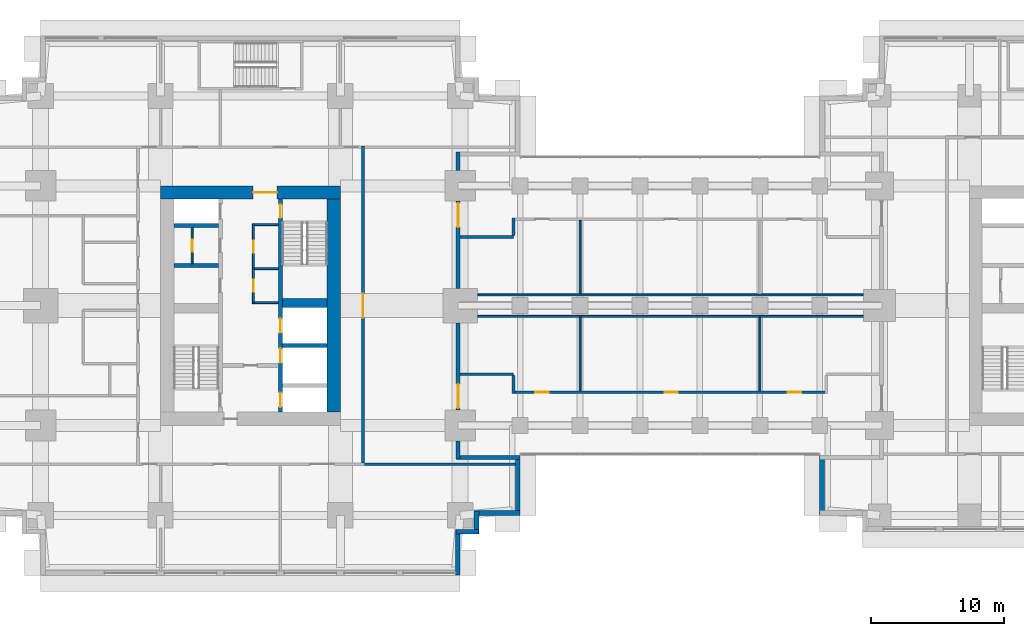
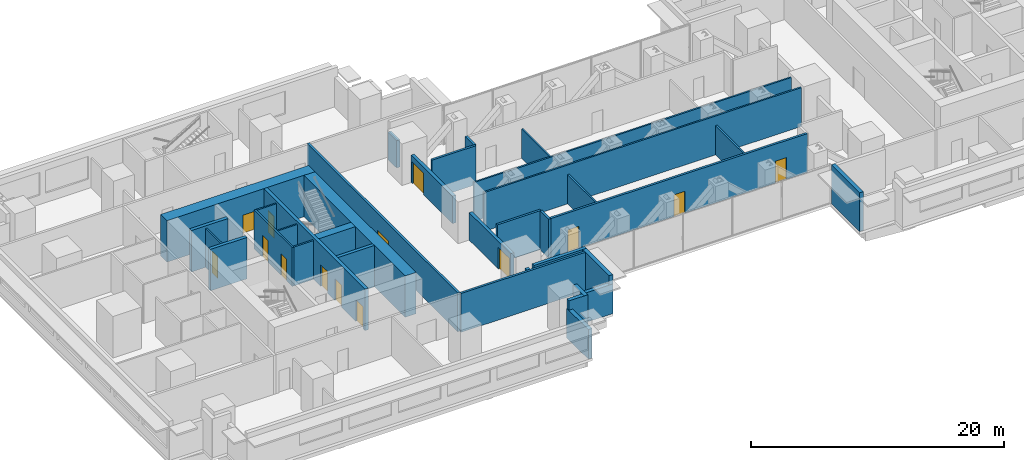
# One storey, part 8 of 16: 35 walls, 14 doors, 14 openings.
"""IFC4 building model written with IfcOpenShell, lengths in metres."""

from ifc_helpers import new_model, si_unit, direction, frame, frame_2d, origin, place, context, subcontext, project, spatial, rectangle, extrude, material, layer, layer_set, type_object, element, fill, save


model = new_model("IFC4")

# Units and contexts
model_context = context("Model", 3, precision=1e-05, world=origin(), true_north=direction((0.0, 1.0)))
body_context = subcontext(model_context, "Body", "Model", "MODEL_VIEW")
ifc_project = project(units=[si_unit("LENGTHUNIT", "METRE"), si_unit("AREAUNIT", "SQUARE_METRE"), si_unit("VOLUMEUNIT", "CUBIC_METRE"), si_unit("PLANEANGLEUNIT", "RADIAN"), si_unit("MASSUNIT", "GRAM", prefix="KILO")], contexts=[model_context])

# Site, building, storey
site_placement = place(None, origin())
site = spatial("IfcSite", under=ifc_project, at=site_placement, CompositionType="ELEMENT")
building_placement = place(site_placement, origin())
building = spatial("IfcBuilding", under=site, at=building_placement, Name="Namib Vertical Campus", CompositionType="ELEMENT")
storey_placement = place(building_placement, frame((0.0, 0.0, 113.0)))
storey = spatial("IfcBuildingStorey", under=building, at=storey_placement, Name="L26", CompositionType="ELEMENT", Elevation=113.0)

# Wall, openings, doors
ifc_material_1 = material(Name="Concrete C60/75", Category="concrete")
ifc_layer_1 = layer(ifc_material_1, 0.300048828125)
ifc_layer_set_1 = layer_set([ifc_layer_1], Name="Concrete C60/75")
wall_type_1 = type_object("IfcWallType", Name="Core inner wall 300", PredefinedType="SHEAR", material=ifc_layer_set_1)
wall_1_placement = place(storey_placement, frame((22.5, 12.25, 0.0), z_axis=(0.0, 0.0, 1.0), x_axis=(0.0, 1.0, 0.0)))
wall_1 = element("IfcWall", 1, at=wall_1_placement, inside=storey, type_object=wall_type_1, Name="Core inner wall A L26 W2", PredefinedType="SHEAR", context=body_context, shape_type="SweptSolid", body=[
    extrude(rectangle(XDim=16.0, YDim=0.300048828125, at=frame_2d((8.0, 0.0))), origin(), (0.0, 0.0, 1.0), 4.0),
])
opening_1_placement = place(wall_1_placement, frame((14.60009765625, 0.0, 0.0)))
opening_1 = element("IfcOpeningElement", 2, at=opening_1_placement, cuts=wall_1, Name="Opening FD1", PredefinedType="OPENING", context=body_context, shape_type="SweptSolid", body=[
    extrude(rectangle(XDim=1.0, YDim=2.10009765625, at=frame_2d((0.5, 1.050048828125))), frame((0.0, 0.159912109375, 0.0), z_axis=(0.0, -1.0, 0.0), x_axis=(1.0, 0.0, 0.0)), (0.0, 0.0, 1.0), 0.320068359375),
])
opening_2_placement = place(wall_1_placement, frame((0.375, 0.0, 0.0)))
opening_2 = element("IfcOpeningElement", 3, at=opening_2_placement, cuts=wall_1, Name="Opening LD1", PredefinedType="OPENING", context=body_context, shape_type="SweptSolid", body=[
    extrude(rectangle(XDim=1.10009765625, YDim=2.10009765625, at=frame_2d((0.550048828125, 1.050048828125))), frame((0.0, 0.159912109375, 0.0), z_axis=(0.0, -1.0, 0.0), x_axis=(1.0, 0.0, 0.0)), (0.0, 0.0, 1.0), 0.320068359375),
])
opening_3_placement = place(wall_1_placement, frame((3.699951171875, 0.0, 0.0)))
opening_3 = element("IfcOpeningElement", 4, at=opening_3_placement, cuts=wall_1, Name="Opening LD1", PredefinedType="OPENING", context=body_context, shape_type="SweptSolid", body=[
    extrude(rectangle(XDim=1.10009765625, YDim=2.10009765625, at=frame_2d((0.550048828125, 1.050048828125))), frame((0.0, 0.159912109375, 0.0), z_axis=(0.0, -1.0, 0.0), x_axis=(1.0, 0.0, 0.0)), (0.0, 0.0, 1.0), 0.320068359375),
])
opening_4_placement = place(wall_1_placement, frame((5.949951171875, 0.0, 0.0)))
opening_4 = element("IfcOpeningElement", 5, at=opening_4_placement, cuts=wall_1, Name="Opening LD1", PredefinedType="OPENING", context=body_context, shape_type="SweptSolid", body=[
    extrude(rectangle(XDim=1.10009765625, YDim=2.10009765625, at=frame_2d((0.550048828125, 1.050048828125))), frame((0.0, 0.159912109375, 0.0), z_axis=(0.0, -1.0, 0.0), x_axis=(1.0, 0.0, 0.0)), (0.0, 0.0, 1.0), 0.320068359375),
])
ifc_material_2 = material(Name="Steel fire door", Category="steel")
door_type_1 = type_object("IfcDoorType", Name="Fire door 1000x2100", OperationType="SINGLE_SWING_RIGHT", PredefinedType="DOOR", material=ifc_material_2)
door_1_placement = place(opening_1_placement, frame((1.0, 0.0, 0.0), z_axis=(0.0, 0.0, 1.0), x_axis=(-1.0, 0.0, 0.0)))
door_1 = element("IfcDoor", 6, at=door_1_placement, inside=storey, type_object=door_type_1, Name="Stair door FD1 A L26 S2", OperationType="SINGLE_SWING_LEFT", OverallHeight=2.10009765625, OverallWidth=1.0, PredefinedType="DOOR", context=body_context, shape_type="SweptSolid", body=[
    extrude(rectangle(XDim=1.0, YDim=2.10009765625, at=frame_2d((0.5, 1.050048828125))), frame((0.0, 0.02490234375, 0.0), z_axis=(0.0, -1.0, 0.0), x_axis=(1.0, 0.0, 0.0)), (0.0, 0.0, 1.0), 0.050048828125),
])
fill(opening_1, door_1)
ifc_material_3 = material(Name="Stainless steel lift door", Category="steel")
door_type_2 = type_object("IfcDoorType", Name="Lift landing door 1100x2100", OperationType="DOUBLE_DOOR_SLIDING", PredefinedType="DOOR", material=ifc_material_3)
door_2_placement = place(opening_2_placement, origin())
door_2 = element("IfcDoor", 7, at=door_2_placement, inside=storey, type_object=door_type_2, Name="Lift landing door LD1 A-FL1 L26", OperationType="DOUBLE_DOOR_SLIDING", OverallHeight=2.10009765625, OverallWidth=1.10009765625, PredefinedType="DOOR", context=body_context, shape_type="SweptSolid", body=[
    extrude(rectangle(XDim=1.10009765625, YDim=2.10009765625, at=frame_2d((0.550048828125, 1.050048828125))), frame((0.0, 0.02490234375, 0.0), z_axis=(0.0, -1.0, 0.0), x_axis=(1.0, 0.0, 0.0)), (0.0, 0.0, 1.0), 0.050048828125),
])
fill(opening_2, door_2)
door_3_placement = place(opening_3_placement, origin())
door_3 = element("IfcDoor", 8, at=door_3_placement, inside=storey, type_object=door_type_2, Name="Lift landing door LD1 A-P4 L26", OperationType="DOUBLE_DOOR_SLIDING", OverallHeight=2.10009765625, OverallWidth=1.10009765625, PredefinedType="DOOR", context=body_context, shape_type="SweptSolid", body=[
    extrude(rectangle(XDim=1.10009765625, YDim=2.10009765625, at=frame_2d((0.550048828125, 1.050048828125))), frame((0.0, 0.02490234375, 0.0), z_axis=(0.0, -1.0, 0.0), x_axis=(1.0, 0.0, 0.0)), (0.0, 0.0, 1.0), 0.050048828125),
])
fill(opening_3, door_3)
door_4_placement = place(opening_4_placement, origin())
door_4 = element("IfcDoor", 9, at=door_4_placement, inside=storey, type_object=door_type_2, Name="Lift landing door LD1 A-P5 L26", OperationType="DOUBLE_DOOR_SLIDING", OverallHeight=2.10009765625, OverallWidth=1.10009765625, PredefinedType="DOOR", context=body_context, shape_type="SweptSolid", body=[
    extrude(rectangle(XDim=1.10009765625, YDim=2.10009765625, at=frame_2d((0.550048828125, 1.050048828125))), frame((0.0, 0.02490234375, 0.0), z_axis=(0.0, -1.0, 0.0), x_axis=(1.0, 0.0, 0.0)), (0.0, 0.0, 1.0), 0.050048828125),
])
fill(opening_4, door_4)

# Walls
for number, where, z_axis, x_axis, name in (
    (10, (22.64990234375, 17.25, 0.0), (0.0, 0.0, 1.0), (1.0, 0.0, 0.0), "Core inner wall A L26 W6"),
    (11, (14.5, 23.25, 0.0), (0.0, 0.0, 1.0), (1.0, 0.0, 0.0), "Core inner wall A L26 W8"),
    (12, (14.5, 26.25, 0.0), (0.0, 0.0, 1.0), (1.0, 0.0, 0.0), "Core inner wall A L26 W9"),
):
    element("IfcWall", number, at=place(storey_placement, frame(where, z_axis=z_axis, x_axis=x_axis)), inside=storey, type_object=wall_type_1, Name=name, PredefinedType="SHEAR", context=body_context, shape_type="SweptSolid", body=[
        extrude(rectangle(XDim=3.35009765625, YDim=0.300048828125, at=frame_2d((1.675048828125, 0.0))), origin(), (0.0, 0.0, 1.0), 4.0),
    ])
ifc_material_4 = material(Name="Concrete C60/75", Category="concrete")
ifc_layer_2 = layer(ifc_material_4, 0.699951171875)
ifc_layer_set_2 = layer_set([ifc_layer_2], Name="Concrete C60/75")
wall_type_2 = type_object("IfcWallType", Name="Core shear wall 700", PredefinedType="SHEAR", material=ifc_layer_set_2)
wall_2_placement = place(storey_placement, frame((22.64990234375, 20.449951171875, 0.0), z_axis=(0.0, 0.0, 1.0), x_axis=(1.0, 0.0, 0.0)))
element("IfcWall", 13, at=wall_2_placement, inside=storey, type_object=wall_type_2, Name="Core shear wall A L26 W7", PredefinedType="SHEAR", context=body_context, shape_type="SweptSolid", body=[
    extrude(rectangle(XDim=3.35009765625, YDim=0.699951171875, at=frame_2d((1.675048828125, 0.0))), origin(), (0.0, 0.0, 1.0), 4.0),
])
ifc_material_5 = material(Name="Concrete C60/75", Category="concrete")
ifc_layer_3 = layer(ifc_material_5, 1.0)
ifc_layer_set_3 = layer_set([ifc_layer_3], Name="Concrete C60/75")
wall_type_3 = type_object("IfcWallType", Name="Core wall 1000", PredefinedType="SHEAR", material=ifc_layer_set_3)
wall_3_placement = place(storey_placement, frame((26.5, 12.25, 0.0), z_axis=(0.0, 0.0, 1.0), x_axis=(0.0, 1.0, 0.0)))
element("IfcWall", 14, at=wall_3_placement, inside=storey, type_object=wall_type_3, Name="Core wall A L26 2", PredefinedType="SHEAR", context=body_context, shape_type="SweptSolid", body=[
    extrude(rectangle(XDim=16.0, YDim=1.0, at=frame_2d((8.0, 0.0))), origin(), (0.0, 0.0, 1.0), 4.0),
])

# Wall, opening, door
wall_4_placement = place(storey_placement, frame((27.0, 28.75, 0.0), z_axis=(0.0, 0.0, 1.0), x_axis=(-1.0, 0.0, 0.0)))
wall_4 = element("IfcWall", 15, at=wall_4_placement, inside=storey, type_object=wall_type_3, Name="Core wall A L26 3", PredefinedType="SHEAR", context=body_context, shape_type="SweptSolid", body=[
    extrude(rectangle(XDim=13.5, YDim=1.0, at=frame_2d((6.75, 0.0))), origin(), (0.0, 0.0, 1.0), 4.0),
])
opening_5_placement = place(wall_4_placement, frame((4.75, 0.0, 0.0)))
opening_5 = element("IfcOpeningElement", 16, at=opening_5_placement, cuts=wall_4, Name="Opening FD2", PredefinedType="OPENING", context=body_context, shape_type="SweptSolid", body=[
    extrude(rectangle(XDim=1.800048828125, YDim=2.10009765625, at=frame_2d((0.89990234375, 1.050048828125))), frame((0.0, 0.510009765625, 0.0), z_axis=(0.0, -1.0, 0.0), x_axis=(1.0, 0.0, 0.0)), (0.0, 0.0, 1.0), 1.02001953125),
])
ifc_material_6 = material(Name="Steel fire door", Category="steel")
door_type_3 = type_object("IfcDoorType", Name="Fire door double 1800x2100", OperationType="DOUBLE_DOOR_SINGLE_SWING", PredefinedType="DOOR", material=ifc_material_6)
door_5_placement = place(opening_5_placement, origin())
door_5 = element("IfcDoor", 17, at=door_5_placement, inside=storey, type_object=door_type_3, Name="Lift lobby door FD2 A L26", OperationType="DOUBLE_DOOR_SINGLE_SWING", OverallHeight=2.10009765625, OverallWidth=1.800048828125, PredefinedType="DOOR", context=body_context, shape_type="SweptSolid", body=[
    extrude(rectangle(XDim=1.800048828125, YDim=2.10009765625, at=frame_2d((0.89990234375, 1.050048828125))), frame((0.0, 0.02490234375, 0.0), z_axis=(0.0, -1.0, 0.0), x_axis=(1.0, 0.0, 0.0)), (0.0, 0.0, 1.0), 0.050048828125),
])
fill(opening_5, door_5)

ifc_material_7 = material(Name="Concrete masonry", Category="masonry")
ifc_layer_4 = layer(ifc_material_7, 0.199951171875)
ifc_layer_set_4 = layer_set([ifc_layer_4], Name="Corridor wall 200")
wall_type_4 = type_object("IfcWallType", Name="Corridor wall 200", PredefinedType="SOLIDWALL", material=ifc_layer_set_4)
wall_5_placement = place(storey_placement, frame((28.699951171875, 8.449951171875, 0.0), z_axis=(0.0, 0.0, 1.0), x_axis=(0.0, 1.0, 0.0)))
wall_5 = element("IfcWall", 18, at=wall_5_placement, inside=storey, type_object=wall_type_4, Name="Corridor wall A L26 CE", PredefinedType="SOLIDWALL", context=body_context, shape_type="SweptSolid", body=[
    extrude(rectangle(XDim=23.800048828125, YDim=0.199951171875, at=frame_2d((11.89990234375, 0.0))), origin(), (0.0, 0.0, 1.0), 3.75),
])
opening_6_placement = place(wall_5_placement, frame((10.89990234375, 0.0, 0.0)))
opening_6 = element("IfcOpeningElement", 19, at=opening_6_placement, cuts=wall_5, Name="Opening FD2", PredefinedType="OPENING", context=body_context, shape_type="SweptSolid", body=[
    extrude(rectangle(XDim=1.800048828125, YDim=2.10009765625, at=frame_2d((0.89990234375, 1.050048828125))), frame((0.0, 0.10986328125, 0.0), z_axis=(0.0, -1.0, 0.0), x_axis=(1.0, 0.0, 0.0)), (0.0, 0.0, 1.0), 0.219970703125),
])
door_6_placement = place(opening_6_placement, origin())
door_6 = element("IfcDoor", 20, at=door_6_placement, inside=storey, type_object=door_type_3, Name="Door FD2 A26-04", OperationType="DOUBLE_DOOR_SINGLE_SWING", OverallHeight=2.10009765625, OverallWidth=1.800048828125, PredefinedType="DOOR", context=body_context, shape_type="SweptSolid", body=[
    extrude(rectangle(XDim=1.800048828125, YDim=2.10009765625, at=frame_2d((0.89990234375, 1.050048828125))), frame((0.0, 0.02490234375, 0.0), z_axis=(0.0, -1.0, 0.0), x_axis=(1.0, 0.0, 0.0)), (0.0, 0.0, 1.0), 0.050048828125),
])
fill(opening_6, door_6)

# Wall
wall_6_placement = place(storey_placement, frame((28.800048828125, 8.35009765625, 0.0), z_axis=(0.0, 0.0, 1.0), x_axis=(1.0, 0.0, 0.0)))
element("IfcWall", 21, at=wall_6_placement, inside=storey, type_object=wall_type_4, Name="Partition A L26 BSE", PredefinedType="SOLIDWALL", context=body_context, shape_type="SweptSolid", body=[
    extrude(rectangle(XDim=11.39990234375, YDim=0.199951171875, at=frame_2d((5.699951171875, 0.0))), origin(), (0.0, 0.0, 1.0), 3.75),
])

# Wall, openings, doors
wall_7_placement = place(storey_placement, frame((40.0, 13.75, 0.0), z_axis=(0.0, 0.0, 1.0), x_axis=(1.0, 0.0, 0.0)))
wall_7 = element("IfcWall", 22, at=wall_7_placement, inside=storey, type_object=wall_type_4, Name="Corridor wall L26", PredefinedType="SOLIDWALL", context=body_context, shape_type="SweptSolid", body=[
    extrude(rectangle(XDim=23.5, YDim=0.199951171875, at=frame_2d((11.75, 0.0))), origin(), (0.0, 0.0, 1.0), 3.75),
])
opening_7_placement = place(wall_7_placement, frame((1.64990234375, 0.0, 0.0)))
opening_7 = element("IfcOpeningElement", 23, at=opening_7_placement, cuts=wall_7, Name="Opening CD1", PredefinedType="OPENING", context=body_context, shape_type="SweptSolid", body=[
    extrude(rectangle(XDim=1.0, YDim=2.10009765625, at=frame_2d((0.5, 1.050048828125))), frame((0.0, 0.10986328125, 0.0), z_axis=(0.0, -1.0, 0.0), x_axis=(1.0, 0.0, 0.0)), (0.0, 0.0, 1.0), 0.219970703125),
])
opening_8_placement = place(wall_7_placement, frame((11.35009765625, 0.0, 0.0)))
opening_8 = element("IfcOpeningElement", 24, at=opening_8_placement, cuts=wall_7, Name="Opening CD1", PredefinedType="OPENING", context=body_context, shape_type="SweptSolid", body=[
    extrude(rectangle(XDim=1.0, YDim=2.10009765625, at=frame_2d((0.5, 1.050048828125))), frame((0.0, 0.10986328125, 0.0), z_axis=(0.0, -1.0, 0.0), x_axis=(1.0, 0.0, 0.0)), (0.0, 0.0, 1.0), 0.219970703125),
])
opening_9_placement = place(wall_7_placement, frame((20.60009765625, 0.0, 0.0)))
opening_9 = element("IfcOpeningElement", 25, at=opening_9_placement, cuts=wall_7, Name="Opening CD1", PredefinedType="OPENING", context=body_context, shape_type="SweptSolid", body=[
    extrude(rectangle(XDim=1.0, YDim=2.10009765625, at=frame_2d((0.5, 1.050048828125))), frame((0.0, 0.10986328125, 0.0), z_axis=(0.0, -1.0, 0.0), x_axis=(1.0, 0.0, 0.0)), (0.0, 0.0, 1.0), 0.219970703125),
])
ifc_material_8 = material(Name="Timber fire door leaf", Category="wood")
door_type_4 = type_object("IfcDoorType", Name="Corridor door 1000x2100 20 min", OperationType="SINGLE_SWING_LEFT", PredefinedType="DOOR", material=ifc_material_8)
door_7_placement = place(opening_7_placement, origin())
door_7 = element("IfcDoor", 26, at=door_7_placement, inside=storey, type_object=door_type_4, Name="Door CD1 BR26-03", OperationType="SINGLE_SWING_LEFT", OverallHeight=2.10009765625, OverallWidth=1.0, PredefinedType="DOOR", context=body_context, shape_type="SweptSolid", body=[
    extrude(rectangle(XDim=1.0, YDim=2.10009765625, at=frame_2d((0.5, 1.050048828125))), frame((0.0, 0.02490234375, 0.0), z_axis=(0.0, -1.0, 0.0), x_axis=(1.0, 0.0, 0.0)), (0.0, 0.0, 1.0), 0.050048828125),
])
fill(opening_7, door_7)
door_8_placement = place(opening_8_placement, origin())
door_8 = element("IfcDoor", 27, at=door_8_placement, inside=storey, type_object=door_type_4, Name="Door CD1 BR26-04", OperationType="SINGLE_SWING_RIGHT", OverallHeight=2.10009765625, OverallWidth=1.0, PredefinedType="DOOR", context=body_context, shape_type="SweptSolid", body=[
    extrude(rectangle(XDim=1.0, YDim=2.10009765625, at=frame_2d((0.5, 1.050048828125))), frame((0.0, 0.02490234375, 0.0), z_axis=(0.0, -1.0, 0.0), x_axis=(1.0, 0.0, 0.0)), (0.0, 0.0, 1.0), 0.050048828125),
])
fill(opening_8, door_8)
door_9_placement = place(opening_9_placement, origin())
door_9 = element("IfcDoor", 28, at=door_9_placement, inside=storey, type_object=door_type_4, Name="Door CD1 BR26-05", OperationType="SINGLE_SWING_RIGHT", OverallHeight=2.10009765625, OverallWidth=1.0, PredefinedType="DOOR", context=body_context, shape_type="SweptSolid", body=[
    extrude(rectangle(XDim=1.0, YDim=2.10009765625, at=frame_2d((0.5, 1.050048828125))), frame((0.0, 0.02490234375, 0.0), z_axis=(0.0, -1.0, 0.0), x_axis=(1.0, 0.0, 0.0)), (0.0, 0.0, 1.0), 0.050048828125),
])
fill(opening_9, door_9)

# Walls
wall_8_placement = place(storey_placement, frame((36.0, 15.10009765625, 0.0), z_axis=(0.0, 0.0, 1.0), x_axis=(1.0, 0.0, 0.0)))
element("IfcWall", 29, at=wall_8_placement, inside=storey, type_object=wall_type_4, Name="Lobby wall L26 W", PredefinedType="SOLIDWALL", context=body_context, shape_type="SweptSolid", body=[
    extrude(rectangle(XDim=4.0, YDim=0.199951171875, at=frame_2d((2.0, 0.0))), origin(), (0.0, 0.0, 1.0), 3.75),
])
wall_9_placement = place(storey_placement, frame((40.0, 13.64990234375, 0.0), z_axis=(0.0, 0.0, 1.0), x_axis=(0.0, 1.0, 0.0)))
element("IfcWall", 30, at=wall_9_placement, inside=storey, type_object=wall_type_4, Name="Lobby side wall L26 W", PredefinedType="SOLIDWALL", context=body_context, shape_type="SweptSolid", body=[
    extrude(rectangle(XDim=1.35009765625, YDim=0.199951171875, at=frame_2d((0.675048828125, 0.0))), origin(), (0.0, 0.0, 1.0), 3.75),
])
wall_10_placement = place(storey_placement, frame((36.0, 25.39990234375, 0.0), z_axis=(0.0, 0.0, 1.0), x_axis=(1.0, 0.0, 0.0)))
element("IfcWall", 31, at=wall_10_placement, inside=storey, type_object=wall_type_4, Name="Lobby wall L26 NW", PredefinedType="SOLIDWALL", context=body_context, shape_type="SweptSolid", body=[
    extrude(rectangle(XDim=4.0, YDim=0.199951171875, at=frame_2d((2.0, 0.0))), origin(), (0.0, 0.0, 1.0), 3.75),
])
wall_11_placement = place(storey_placement, frame((40.0, 26.85009765625, 0.0), z_axis=(0.0, 0.0, 1.0), x_axis=(0.0, -1.0, 0.0)))
element("IfcWall", 32, at=wall_11_placement, inside=storey, type_object=wall_type_4, Name="Lobby side wall L26 NW", PredefinedType="SOLIDWALL", context=body_context, shape_type="SweptSolid", body=[
    extrude(rectangle(XDim=1.35009765625, YDim=0.199951171875, at=frame_2d((0.675048828125, 0.0))), origin(), (0.0, 0.0, 1.0), 3.75),
])
ifc_material_9 = material(Name="Concrete C40/50", Category="concrete")
ifc_layer_5 = layer(ifc_material_9, 0.35009765625)
ifc_layer_set_5 = layer_set([ifc_layer_5], Name="Concrete C40/50")
wall_type_5 = type_object("IfcWallType", Name="External wall 350 bush-hammered concrete", PredefinedType="STANDARD", material=ifc_layer_set_5)
wall_12_placement = place(storey_placement, frame((35.824951171875, 0.02001953125, 0.0), z_axis=(0.0, 0.0, 1.0), x_axis=(0.0, 1.0, 0.0)))
element("IfcWall", 33, at=wall_12_placement, inside=storey, type_object=wall_type_5, Name="External wall L26 F03", PredefinedType="STANDARD", context=body_context, shape_type="SweptSolid", body=[
    extrude(rectangle(XDim=3.409912109375, YDim=0.35009765625, at=frame_2d((1.705078125, 0.0))), origin(), (0.0, 0.0, 1.0), 2.85009765625),
])
for number, where, z_axis, x_axis, name in (
    (34, (35.669921875, 3.27490234375, 0.0), (0.0, 0.0, 1.0), (1.0, 0.0, 0.0), "External wall L26 F04"),
    (35, (37.22509765625, 3.1201171875, 0.0), (0.0, 0.0, 1.0), (0.0, 1.0, 0.0), "External wall L26 F05"),
):
    element("IfcWall", number, at=place(storey_placement, frame(where, z_axis=z_axis, x_axis=x_axis)), inside=storey, type_object=wall_type_5, Name=name, PredefinedType="STANDARD", context=body_context, shape_type="SweptSolid", body=[
        extrude(rectangle(XDim=1.7099609375, YDim=0.35009765625, at=frame_2d((0.85498046875, 0.0))), origin(), (0.0, 0.0, 1.0), 3.75),
    ])
wall_13_placement = place(storey_placement, frame((37.070068359375, 4.675048828125, 0.0), z_axis=(0.0, 0.0, 1.0), x_axis=(1.0, 0.0, 0.0)))
element("IfcWall", 36, at=wall_13_placement, inside=storey, type_object=wall_type_5, Name="External wall L26 F06", PredefinedType="STANDARD", context=body_context, shape_type="SweptSolid", body=[
    extrude(rectangle(XDim=3.409912109375, YDim=0.35009765625, at=frame_2d((1.705078125, 0.0))), origin(), (0.0, 0.0, 1.0), 2.85009765625),
])
for number, where, z_axis, x_axis, name in (
    (37, (40.324951171875, 4.52001953125, 0.0), (0.0, 0.0, 1.0), (0.0, 1.0, 0.0), "External wall L26 F07"),
    (38, (63.175048828125, 8.97998046875, 0.0), (0.0, 0.0, 1.0), (0.0, -1.0, 0.0), "External wall L26 F01"),
):
    element("IfcWall", number, at=place(storey_placement, frame(where, z_axis=z_axis, x_axis=x_axis)), inside=storey, type_object=wall_type_5, Name=name, PredefinedType="STANDARD", context=body_context, shape_type="SweptSolid", body=[
        extrude(rectangle(XDim=4.4599609375, YDim=0.35009765625, at=frame_2d((2.22998046875, 0.0))), origin(), (0.0, 0.0, 1.0), 3.75),
    ])
ifc_material_10 = material(Name="Concrete masonry", Category="masonry")
ifc_layer_6 = layer(ifc_material_10, 0.300048828125)
ifc_layer_set_6 = layer_set([ifc_layer_6], Name="Fire wall 300")
wall_type_6 = type_object("IfcWallType", Name="Fire wall 300", PredefinedType="SOLIDWALL", material=ifc_layer_set_6)
wall_14_placement = place(storey_placement, frame((40.47998046875, 8.85009765625, 0.0), z_axis=(0.0, 0.0, 1.0), x_axis=(-1.0, 0.0, 0.0)))
element("IfcWall", 39, at=wall_14_placement, inside=storey, type_object=wall_type_6, Name="External wall L26 F08", PredefinedType="SOLIDWALL", context=body_context, shape_type="SweptSolid", body=[
    extrude(rectangle(XDim=4.760009765625, YDim=0.300048828125, at=frame_2d((2.3798828125, 0.0))), origin(), (0.0, 0.0, 1.0), 3.75),
])
wall_15_placement = place(storey_placement, frame((35.85009765625, 8.719970703125, 0.0), z_axis=(0.0, 0.0, 1.0), x_axis=(0.0, 1.0, 0.0)))
element("IfcWall", 40, at=wall_15_placement, inside=storey, type_object=wall_type_6, Name="External wall L26 F09", PredefinedType="SOLIDWALL", context=body_context, shape_type="SweptSolid", body=[
    extrude(rectangle(XDim=1.380126953125, YDim=0.300048828125, at=frame_2d((0.68994140625, 0.0))), origin(), (0.0, 0.0, 1.0), 2.64990234375),
])

# Wall, opening, door
wall_16_placement = place(storey_placement, frame((35.85009765625, 12.39990234375, 0.0), z_axis=(0.0, 0.0, 1.0), x_axis=(0.0, 1.0, 0.0)))
wall_16 = element("IfcWall", 41, at=wall_16_placement, inside=storey, type_object=wall_type_6, Name="External wall L26 F09", PredefinedType="SOLIDWALL", context=body_context, shape_type="SweptSolid", body=[
    extrude(rectangle(XDim=6.550048828125, YDim=0.300048828125, at=frame_2d((3.27490234375, 0.0))), origin(), (0.0, 0.0, 1.0), 2.64990234375),
])
opening_10_placement = place(wall_16_placement, frame((0.14990234375, 0.0, 0.0)))
opening_10 = element("IfcOpeningElement", 42, at=opening_10_placement, cuts=wall_16, Name="Opening FD4", PredefinedType="OPENING", context=body_context, shape_type="SweptSolid", body=[
    extrude(rectangle(XDim=1.800048828125, YDim=2.10009765625, at=frame_2d((0.89990234375, 1.050048828125))), frame((0.0, 0.159912109375, 0.0), z_axis=(0.0, -1.0, 0.0), x_axis=(1.0, 0.0, 0.0)), (0.0, 0.0, 1.0), 0.320068359375),
])
ifc_material_11 = material(Name="Steel fire door", Category="steel")
door_type_5 = type_object("IfcDoorType", Name="Fire door double 1800x2100 120 min", OperationType="DOUBLE_DOOR_SINGLE_SWING", PredefinedType="DOOR", material=ifc_material_11)
door_10_placement = place(opening_10_placement, origin())
door_10 = element("IfcDoor", 43, at=door_10_placement, inside=storey, type_object=door_type_5, Name="Bridge fire door FD4 A L26", OperationType="DOUBLE_DOOR_SINGLE_SWING", OverallHeight=2.10009765625, OverallWidth=1.800048828125, PredefinedType="DOOR", context=body_context, shape_type="SweptSolid", body=[
    extrude(rectangle(XDim=1.800048828125, YDim=2.10009765625, at=frame_2d((0.89990234375, 1.050048828125))), frame((0.0, 0.02490234375, 0.0), z_axis=(0.0, -1.0, 0.0), x_axis=(1.0, 0.0, 0.0)), (0.0, 0.0, 1.0), 0.050048828125),
])
fill(opening_10, door_10)

wall_17_placement = place(storey_placement, frame((35.85009765625, 21.550048828125, 0.0), z_axis=(0.0, 0.0, 1.0), x_axis=(0.0, 1.0, 0.0)))
wall_17 = element("IfcWall", 44, at=wall_17_placement, inside=storey, type_object=wall_type_6, Name="External wall L26 F09", PredefinedType="SOLIDWALL", context=body_context, shape_type="SweptSolid", body=[
    extrude(rectangle(XDim=6.550048828125, YDim=0.300048828125, at=frame_2d((3.27490234375, 0.0))), origin(), (0.0, 0.0, 1.0), 2.64990234375),
])
opening_11_placement = place(wall_17_placement, frame((4.60009765625, 0.0, 0.0)))
opening_11 = element("IfcOpeningElement", 45, at=opening_11_placement, cuts=wall_17, Name="Opening FD4", PredefinedType="OPENING", context=body_context, shape_type="SweptSolid", body=[
    extrude(rectangle(XDim=1.800048828125, YDim=2.10009765625, at=frame_2d((0.89990234375, 1.050048828125))), frame((0.0, 0.159912109375, 0.0), z_axis=(0.0, -1.0, 0.0), x_axis=(1.0, 0.0, 0.0)), (0.0, 0.0, 1.0), 0.320068359375),
])
door_11_placement = place(opening_11_placement, origin())
door_11 = element("IfcDoor", 46, at=door_11_placement, inside=storey, type_object=door_type_5, Name="Bridge fire door FD4 A L26 north", OperationType="DOUBLE_DOOR_SINGLE_SWING", OverallHeight=2.10009765625, OverallWidth=1.800048828125, PredefinedType="DOOR", context=body_context, shape_type="SweptSolid", body=[
    extrude(rectangle(XDim=1.800048828125, YDim=2.10009765625, at=frame_2d((0.89990234375, 1.050048828125))), frame((0.0, 0.02490234375, 0.0), z_axis=(0.0, -1.0, 0.0), x_axis=(1.0, 0.0, 0.0)), (0.0, 0.0, 1.0), 0.050048828125),
])
fill(opening_11, door_11)

# Wall
wall_18_placement = place(storey_placement, frame((35.85009765625, 30.39990234375, 0.0), z_axis=(0.0, 0.0, 1.0), x_axis=(0.0, 1.0, 0.0)))
element("IfcWall", 47, at=wall_18_placement, inside=storey, type_object=wall_type_6, Name="External wall L26 F09", PredefinedType="SOLIDWALL", context=body_context, shape_type="SweptSolid", body=[
    extrude(rectangle(XDim=1.380126953125, YDim=0.300048828125, at=frame_2d((0.68994140625, 0.0))), origin(), (0.0, 0.0, 1.0), 2.64990234375),
])

# Wall, openings, doors
ifc_material_12 = material(Name="Gypsum board on steel studs", Category="steel")
ifc_layer_7 = layer(ifc_material_12, 0.14990234375)
ifc_layer_set_7 = layer_set([ifc_layer_7], Name="Gypsum board on steel studs")
wall_type_7 = type_object("IfcWallType", Name="Partition 150", PredefinedType="PARTITIONING", material=ifc_layer_set_7)
wall_19_placement = place(storey_placement, frame((20.47509765625, 20.39990234375, 0.0), z_axis=(0.0, 0.0, 1.0), x_axis=(0.0, 1.0, 0.0)))
wall_19 = element("IfcWall", 48, at=wall_19_placement, inside=storey, type_object=wall_type_7, Name="Partition A L26 Comms room and Store front", PredefinedType="PARTITIONING", context=body_context, shape_type="SweptSolid", body=[
    extrude(rectangle(XDim=6.0, YDim=0.14990234375, at=frame_2d((3.0, 0.0))), origin(), (0.0, 0.0, 1.0), 3.75),
])
opening_12_placement = place(wall_19_placement, frame((0.89990234375, 0.0, 0.0)))
opening_12 = element("IfcOpeningElement", 49, at=opening_12_placement, cuts=wall_19, Name="Opening D3", PredefinedType="OPENING", context=body_context, shape_type="SweptSolid", body=[
    extrude(rectangle(XDim=0.89990234375, YDim=2.10009765625, at=frame_2d((0.449951171875, 1.050048828125))), frame((0.0, 0.0849609375, 0.0), z_axis=(0.0, -1.0, 0.0), x_axis=(1.0, 0.0, 0.0)), (0.0, 0.0, 1.0), 0.169921875),
])
opening_13_placement = place(wall_19_placement, frame((3.824951171875, 0.0, 0.0)))
opening_13 = element("IfcOpeningElement", 50, at=opening_13_placement, cuts=wall_19, Name="Opening D3", PredefinedType="OPENING", context=body_context, shape_type="SweptSolid", body=[
    extrude(rectangle(XDim=0.89990234375, YDim=2.10009765625, at=frame_2d((0.449951171875, 1.050048828125))), frame((0.0, 0.0849609375, 0.0), z_axis=(0.0, -1.0, 0.0), x_axis=(1.0, 0.0, 0.0)), (0.0, 0.0, 1.0), 0.169921875),
])
ifc_material_13 = material(Name="Timber door leaf", Category="wood")
door_type_6 = type_object("IfcDoorType", Name="Toilet door 900x2100", OperationType="SINGLE_SWING_LEFT", PredefinedType="DOOR", material=ifc_material_13)
door_12_placement = place(opening_12_placement, frame((0.89990234375, 0.0, 0.0), z_axis=(0.0, 0.0, 1.0), x_axis=(-1.0, 0.0, 0.0)))
door_12 = element("IfcDoor", 51, at=door_12_placement, inside=storey, type_object=door_type_6, Name="Door D3 Comms room A L26", OperationType="SINGLE_SWING_RIGHT", OverallHeight=2.10009765625, OverallWidth=0.89990234375, PredefinedType="DOOR", context=body_context, shape_type="SweptSolid", body=[
    extrude(rectangle(XDim=0.89990234375, YDim=2.10009765625, at=frame_2d((0.449951171875, 1.050048828125))), frame((0.0, 0.02490234375, 0.0), z_axis=(0.0, -1.0, 0.0), x_axis=(1.0, 0.0, 0.0)), (0.0, 0.0, 1.0), 0.050048828125),
])
fill(opening_12, door_12)
door_13_placement = place(opening_13_placement, frame((0.89990234375, 0.0, 0.0), z_axis=(0.0, 0.0, 1.0), x_axis=(-1.0, 0.0, 0.0)))
door_13 = element("IfcDoor", 52, at=door_13_placement, inside=storey, type_object=door_type_6, Name="Door D3 Store A L26", OperationType="SINGLE_SWING_RIGHT", OverallHeight=2.10009765625, OverallWidth=0.89990234375, PredefinedType="DOOR", context=body_context, shape_type="SweptSolid", body=[
    extrude(rectangle(XDim=0.89990234375, YDim=2.10009765625, at=frame_2d((0.449951171875, 1.050048828125))), frame((0.0, 0.02490234375, 0.0), z_axis=(0.0, -1.0, 0.0), x_axis=(1.0, 0.0, 0.0)), (0.0, 0.0, 1.0), 0.050048828125),
])
fill(opening_13, door_13)

# Walls
for number, where, z_axis, x_axis, name in (
    (53, (20.550048828125, 20.47509765625, 0.0), (0.0, 0.0, 1.0), (1.0, 0.0, 0.0), "Partition A L26 Comms room and Store end 1"),
    (54, (20.550048828125, 23.02490234375, 0.0), (0.0, 0.0, 1.0), (1.0, 0.0, 0.0), "Partition A L26 Comms room and Store division 2"),
    (55, (20.550048828125, 26.324951171875, 0.0), (0.0, 0.0, 1.0), (1.0, 0.0, 0.0), "Partition A L26 Comms room and Store end 3"),
):
    element("IfcWall", number, at=place(storey_placement, frame(where, z_axis=z_axis, x_axis=x_axis)), inside=storey, type_object=wall_type_7, Name=name, PredefinedType="PARTITIONING", context=body_context, shape_type="SweptSolid", body=[
        extrude(rectangle(XDim=1.800048828125, YDim=0.14990234375, at=frame_2d((0.89990234375, 0.0))), origin(), (0.0, 0.0, 1.0), 3.75),
    ])

# Wall, opening, door
wall_20_placement = place(storey_placement, frame((15.875, 23.39990234375, 0.0), z_axis=(0.0, 0.0, 1.0), x_axis=(0.0, 1.0, 0.0)))
wall_20 = element("IfcWall", 56, at=wall_20_placement, inside=storey, type_object=wall_type_7, Name="Partition A L26 Records store P2 back", PredefinedType="PARTITIONING", context=body_context, shape_type="SweptSolid", body=[
    extrude(rectangle(XDim=2.7001953125, YDim=0.14990234375, at=frame_2d((1.35009765625, 0.0))), origin(), (0.0, 0.0, 1.0), 3.75),
])
opening_14_placement = place(wall_20_placement, frame((0.89990234375, 0.0, 0.0)))
opening_14 = element("IfcOpeningElement", 57, at=opening_14_placement, cuts=wall_20, Name="Opening D3", PredefinedType="OPENING", context=body_context, shape_type="SweptSolid", body=[
    extrude(rectangle(XDim=0.89990234375, YDim=2.10009765625, at=frame_2d((0.449951171875, 1.050048828125))), frame((0.0, 0.0849609375, 0.0), z_axis=(0.0, -1.0, 0.0), x_axis=(1.0, 0.0, 0.0)), (0.0, 0.0, 1.0), 0.169921875),
])
door_14_placement = place(opening_14_placement, origin())
door_14 = element("IfcDoor", 58, at=door_14_placement, inside=storey, type_object=door_type_6, Name="Door D3 Store A L26 P2", OperationType="SINGLE_SWING_LEFT", OverallHeight=2.10009765625, OverallWidth=0.89990234375, PredefinedType="DOOR", context=body_context, shape_type="SweptSolid", body=[
    extrude(rectangle(XDim=0.89990234375, YDim=2.10009765625, at=frame_2d((0.449951171875, 1.050048828125))), frame((0.0, 0.02490234375, 0.0), z_axis=(0.0, -1.0, 0.0), x_axis=(1.0, 0.0, 0.0)), (0.0, 0.0, 1.0), 0.050048828125),
])
fill(opening_14, door_14)

# Walls
for number, where, z_axis, x_axis, name in (
    (59, (37.320068359375, 19.449951171875, 0.0), (0.0, 0.0, 1.0), (1.0, 0.0, 0.0), "Spine wall L26 S"),
    (60, (37.320068359375, 21.050048828125, 0.0), (0.0, 0.0, 1.0), (1.0, 0.0, 0.0), "Spine wall L26 N"),
):
    element("IfcWall", number, at=place(storey_placement, frame(where, z_axis=z_axis, x_axis=x_axis)), inside=storey, type_object=wall_type_7, Name=name, PredefinedType="PARTITIONING", context=body_context, shape_type="SweptSolid", body=[
        extrude(rectangle(XDim=28.9599609375, YDim=0.14990234375, at=frame_2d((14.47998046875, 0.0))), origin(), (0.0, 0.0, 1.0), 3.75),
    ])
for number, where, z_axis, x_axis, name in (
    (61, (45.0, 13.85009765625, 0.0), (0.0, 0.0, 1.0), (0.0, 1.0, 0.0), "Partition bridge L26 S1"),
    (62, (58.5, 13.85009765625, 0.0), (0.0, 0.0, 1.0), (0.0, 1.0, 0.0), "Partition bridge L26 S2"),
    (63, (45.0, 26.64990234375, 0.0), (0.0, 0.0, 1.0), (0.0, -1.0, 0.0), "Partition bridge L26 N1"),
):
    element("IfcWall", number, at=place(storey_placement, frame(where, z_axis=z_axis, x_axis=x_axis)), inside=storey, type_object=wall_type_7, Name=name, PredefinedType="PARTITIONING", context=body_context, shape_type="SweptSolid", body=[
        extrude(rectangle(XDim=5.52490234375, YDim=0.14990234375, at=frame_2d((2.762451171875, 0.0))), origin(), (0.0, 0.0, 1.0), 2.82958984375),
    ])

save(model, "model.ifc")
